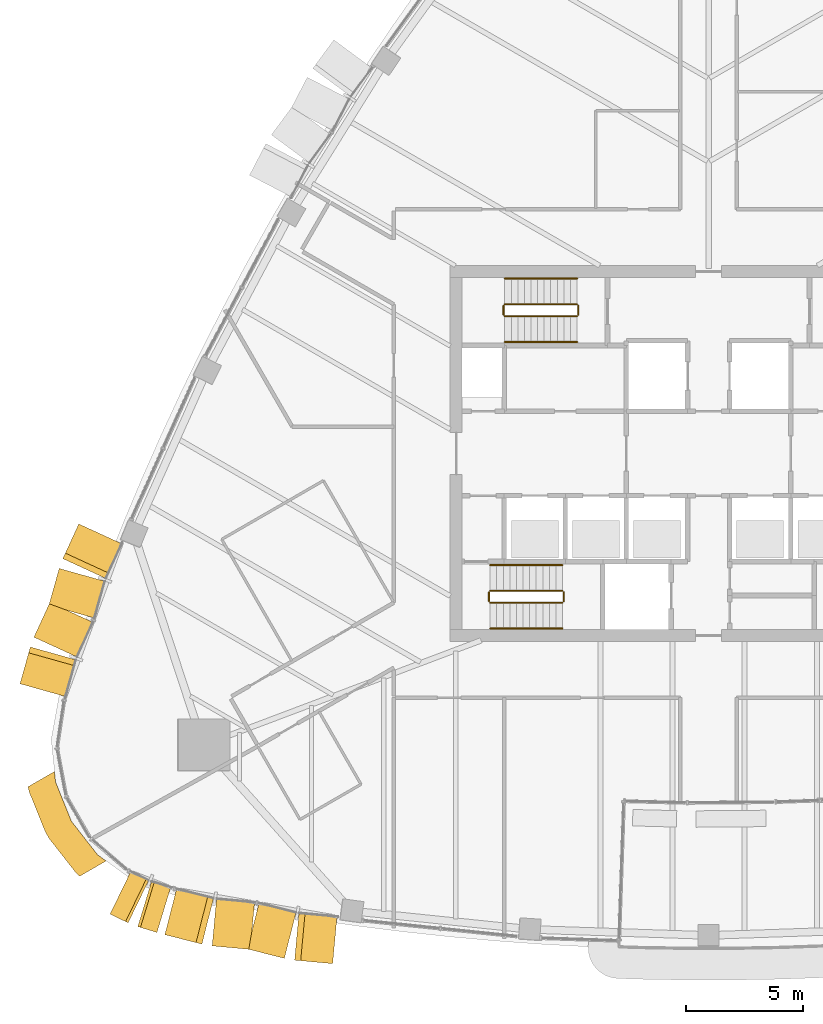
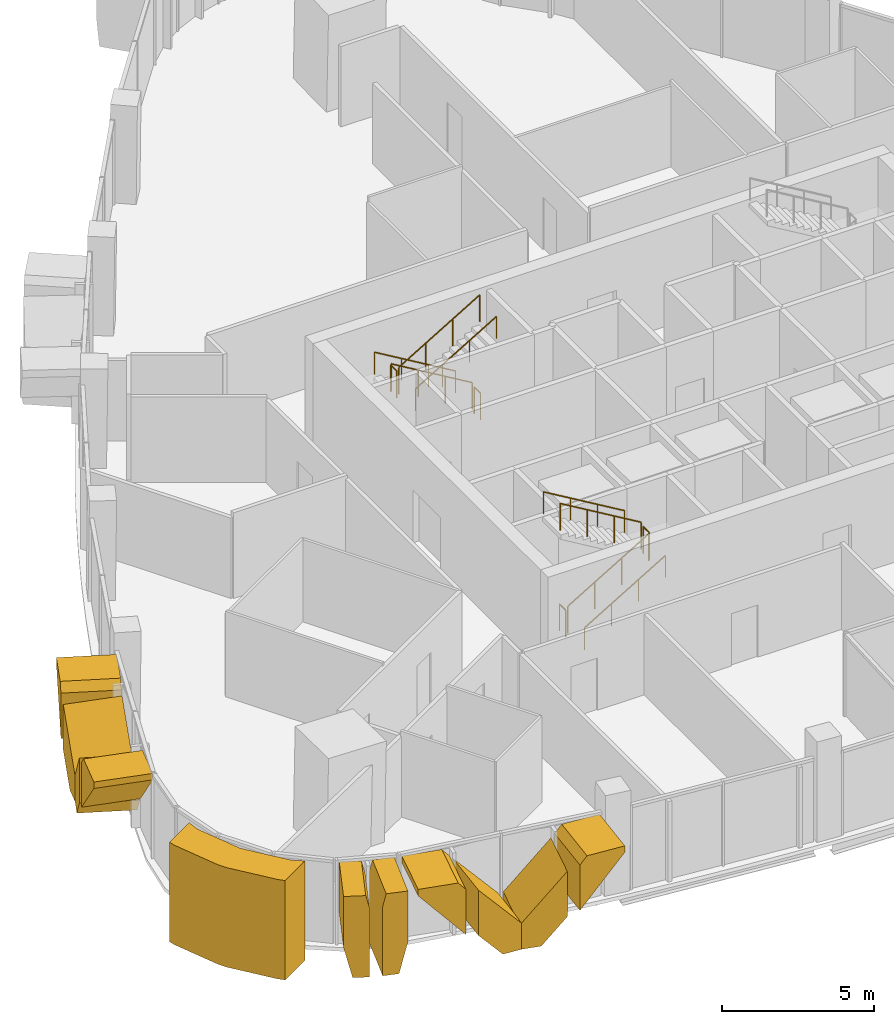
# One storey, part 17 of 21: 12 railings, 11 coverings.
"""IFC4 building model written with IfcOpenShell, lengths in metres."""

from ifc_helpers import new_model, si_unit, direction, frame, origin, origin_2d, place, context, subcontext, project, spatial, polyline, circle, outline, extrude, material, layer, layer_set, type_object, element, save


model = new_model("IFC4")

# Units and contexts
model_context = context("Model", 3, precision=1e-05, world=origin(), true_north=direction((0.0, 1.0)))
body_context = subcontext(model_context, "Body", "Model", "MODEL_VIEW")
ifc_project = project(units=[si_unit("LENGTHUNIT", "METRE"), si_unit("AREAUNIT", "SQUARE_METRE"), si_unit("VOLUMEUNIT", "CUBIC_METRE"), si_unit("PLANEANGLEUNIT", "RADIAN"), si_unit("MASSUNIT", "GRAM", prefix="KILO")], contexts=[model_context])

# Site, building, storey
site_placement = place(None, origin())
site = spatial("IfcSite", under=ifc_project, at=site_placement, CompositionType="ELEMENT")
building_placement = place(site_placement, origin())
building = spatial("IfcBuilding", under=site, at=building_placement, Name="Sierra Prisma Convention Tower", CompositionType="ELEMENT")
storey_placement = place(building_placement, frame((0.0, 0.0, 259.0)))
storey = spatial("IfcBuildingStorey", under=building, at=storey_placement, Name="L58", CompositionType="ELEMENT", Elevation=259.0)

# Coverings
ifc_material_1 = material(Name="Aluminium composite bronze anodised", Category="aluminium")
ifc_layer_1 = layer(ifc_material_1, 1.199951171875)
ifc_layer_set_1 = layer_set([ifc_layer_1], Name="Bronze corner pier")
covering_type_1 = type_object("IfcCoveringType", Name="Bronze corner pier", PredefinedType="CLADDING", material=ifc_layer_set_1)
covering_1_placement = place(storey_placement, frame((0.0, 0.0, -0.60009765625)))
element("IfcCovering", 1, at=covering_1_placement, inside=storey, type_object=covering_type_1, Name="Corner pier SW L58.1", PredefinedType="CLADDING", context=body_context, shape_type="SweptSolid", body=[
    extrude(outline(polyline([(-28.07373046875, -16.402099609375), (-28.241455078125, -16.111572265625), (-28.919921875, -14.42919921875), (-28.97900390625, -14.190673828125), (-27.852294921875, -13.540283203125), (-27.806884765625, -13.98046875), (-27.128662109375, -15.66259765625), (-26.010986328125, -17.09130859375), (-25.65234375, -17.3505859375), (-26.779052734375, -18.001220703125), (-26.9560546875, -17.830810546875), (-28.07373046875, -16.402099609375)])), origin(), (0.0, 0.0, 1.0), 4.0),
])
ifc_material_2 = material(Name="Aluminium 6063-T6 bronze anodised", Category="aluminium")
ifc_layer_2 = layer(ifc_material_2, 2.0)
ifc_layer_set_2 = layer_set([ifc_layer_2], Name="Bronze crystal chevron frame")
covering_type_2 = type_object("IfcCoveringType", Name="Bronze crystal chevron frame", PredefinedType="CLADDING", material=ifc_layer_set_2)
covering_2_placement = place(storey_placement, frame((-26.81689453125, -2.999267578125, 3.280029296875), z_axis=(-0.908592844401, 0.417682944693, 2.8566735e-05), x_axis=(-2.5955531e-05, 1.1931838e-05, -0.999999999592)))
element("IfcCovering", 2, at=covering_2_placement, inside=storey, type_object=covering_type_2, Name="CW-2 chevron frame NW6.1.1", PredefinedType="CLADDING", context=body_context, shape_type="SweptSolid", body=[
    extrude(outline(polyline([(0.0, 0.0), (0.2590332030193069, 4.388193149593812e-22), (2.1164550775024966, 1.627262594344925), (0.29541015637053597, 1.627262594344925), (-1.6974651000743334e-09, 1.36847146785821), (0.0, 0.0)])), origin(), (0.0, 0.0, -1.0), 2.0),
])
covering_3_placement = place(storey_placement, frame((-27.649658203125, -4.893798828125, 2.83642578125), z_axis=(-0.962745510071, 0.270409102087, -1.86078e-05), x_axis=(1.7914576e-05, -5.031719e-06, -0.999999999827)))
element("IfcCovering", 3, at=covering_3_placement, inside=storey, type_object=covering_type_2, Name="CW-2 chevron frame NW6.1.2", PredefinedType="CLADDING", context=body_context, shape_type="SweptSolid", body=[
    extrude(outline(polyline([(0.0, 0.0), (1.8210449215597315, 0.0), (2.836425782080037, 0.8895664588662767), (2.836425781110519, 1.6270147450515953), (1.8574218750300096, 1.6270147450515953), (0.0, 0.0)])), origin(), (0.0, 0.0, -1.0), 2.0),
])
covering_4_placement = place(storey_placement, frame((-28.046875, -6.34375, 0.0), z_axis=(-0.90856646095, 0.417740333197, -7.528198e-06), x_axis=(-0.417740333209, -0.908566460976, -2.15e-10)))
element("IfcCovering", 4, at=covering_4_placement, inside=storey, type_object=covering_type_2, Name="CW-2 chevron frame NW6.2.1", PredefinedType="CLADDING", context=body_context, shape_type="SweptSolid", body=[
    extrude(outline(polyline([(0.0, 0.0), (0.7375984462619258, 0.0), (1.627040773429856, 1.0153808597538199), (1.6270407730380705, 2.8364257815772174), (-2.1062607878972494e-10, 0.9790039062222583), (0.0, 0.0)])), origin(), (0.0, 0.0, -1.0), 2.0),
])
covering_5_placement = place(storey_placement, frame((-29.319580078125, -9.8046875, 3.280029296875), z_axis=(-0.962746282549, 0.270406348139, 4.8205374e-05), x_axis=(0.270406348453, 0.962746283668, 3.532e-09)))
element("IfcCovering", 5, at=covering_5_placement, inside=storey, type_object=covering_type_2, Name="CW-2 chevron frame NW6.2.2", PredefinedType="CLADDING", context=body_context, shape_type="SweptSolid", body=[
    extrude(outline(polyline([(0.0, 0.0), (1.3683874440738844, 0.0), (1.6270147440554943, 0.2954101623403867), (1.6270147376229593, 2.1164550820995527), (-9.149912087620676e-10, 0.25903320282403475), (0.0, 0.0)])), origin(), (0.0, 0.0, -1.0), 2.0),
])
covering_6_placement = place(storey_placement, frame((-25.484130859375, -19.612060546875, 3.280029296875), z_axis=(-0.437092746339, -0.899416439184, 4.924633e-06), x_axis=(-2.152521e-06, -4.429296e-06, -0.999999999988)))
element("IfcCovering", 6, at=covering_6_placement, inside=storey, type_object=covering_type_2, Name="CW-2 chevron frame SW5.1.1", PredefinedType="CLADDING", context=body_context, shape_type="SweptSolid", body=[
    extrude(outline(polyline([(0.0, 0.0), (2.0520019531001177, 8.690566310635247e-22), (3.2800292973900493, 0.3002711131060251), (3.280029296911565, 0.8528825868204741), (0.4875488281954266, 0.8528825868204741), (4.466648317195472e-10, 0.7337554941013108), (0.0, 0.0)])), origin(), (0.0, 0.0, -1.0), 2.0),
])
covering_7_placement = place(storey_placement, frame((-24.30419921875, -20.146728515625, 0.0), z_axis=(-0.29112275401, -0.956685707062, -7.9578e-07), x_axis=(0.956685707062, -0.29112275401, -4.1e-11)))
element("IfcCovering", 7, at=covering_7_placement, inside=storey, type_object=covering_type_2, Name="CW-2 chevron frame SW5.1.2", PredefinedType="CLADDING", context=body_context, shape_type="SweptSolid", body=[
    extrude(outline(polyline([(0.0, 0.0), (0.5527419766576944, -2.6469779601696886e-23), (0.8528602230531925, 1.2280273437877118), (0.8528602229695239, 3.280029296912062), (0.11916788469721595, 3.2800292968584293), (-1.1386096867840834e-10, 2.7924804687491154), (0.0, 0.0)])), origin(), (0.0, 0.0, -1.0), 2.0),
])
covering_8_placement = place(storey_placement, frame((-23.15087890625, -20.4892578125, 3.280029296875), z_axis=(-0.247121034058, -0.968984620341, 8.290704e-06), x_axis=(-2.048807e-06, -8.033565e-06, -0.999999999966)))
element("IfcCovering", 8, at=covering_8_placement, inside=storey, type_object=covering_type_2, Name="CW-2 chevron frame S1.1.1", PredefinedType="CLADDING", context=body_context, shape_type="SweptSolid", body=[
    extrude(outline(polyline([(0.0, 0.0), (0.25903320311609757, 0.0), (2.1164550780725673, 1.6271267142296584), (0.29541015626015266, 1.6271267142296584), (-1.429757823017815e-10, 1.3683637952721834), (0.0, 0.0)])), origin(), (0.0, 0.0, -1.0), 2.0),
])
covering_9_placement = place(storey_placement, frame((-21.137451171875, -20.966796875, 2.83642578125), z_axis=(-0.092593363592, -0.995704006439, -2.4089643e-05), x_axis=(2.230541e-06, 2.3986154e-05, -0.99999999971)))
element("IfcCovering", 9, at=covering_9_placement, inside=storey, type_object=covering_type_2, Name="CW-2 chevron frame S1.1.2", PredefinedType="CLADDING", context=body_context, shape_type="SweptSolid", body=[
    extrude(outline(polyline([(0.0, 0.0), (1.8210449213466138, 0.0), (2.836425782641131, 0.8895552001825988), (2.8364257810162323, 1.6271049545894418), (1.8574218750502955, 1.6271049545894418), (0.0, 0.0)])), origin(), (0.0, 0.0, -1.0), 2.0),
])
covering_10_placement = place(storey_placement, frame((-19.6396484375, -21.09619140625, 0.0), z_axis=(-0.247134109821, -0.968981285368, 1.9212365e-05), x_axis=(0.968981285547, -0.247134109867, -1.401e-09)))
element("IfcCovering", 10, at=covering_10_placement, inside=storey, type_object=covering_type_2, Name="CW-2 chevron frame S1.2.1", PredefinedType="CLADDING", context=body_context, shape_type="SweptSolid", body=[
    extrude(outline(polyline([(0.0, 0.0), (0.7377408164433978, 4.235164736271502e-22), (1.6271267126920594, 1.0153808618419236), (1.627126710140862, 2.8364257833808364), (-1.3715380789823645e-09, 0.9790039060693176), (0.0, 0.0)])), origin(), (0.0, 0.0, -1.0), 2.0),
])
covering_11_placement = place(storey_placement, frame((-16.005859375, -21.724365234375, 3.280029296875), z_axis=(-0.092428357991, -0.995719337258, -7.048034e-06), x_axis=(-0.995719337283, 0.092428357994, 7.6e-11)))
element("IfcCovering", 11, at=covering_11_placement, inside=storey, type_object=covering_type_2, Name="CW-2 chevron frame S1.2.2", PredefinedType="CLADDING", context=body_context, shape_type="SweptSolid", body=[
    extrude(outline(polyline([(0.0, 0.0), (1.368405154007611, 0.0), (1.6270823707618116, 0.29541015638019724), (1.6270823706243056, 2.116455078209967), (-1.9559437400483652e-11, 0.2590332031185663), (0.0, 0.0)])), origin(), (0.0, 0.0, -1.0), 2.0),
])

# Railings
ifc_material_3 = material(Name="Stainless steel", Category="steel")
railing_type_1 = type_object("IfcRailingType", Name="Exit stair handrail", PredefinedType="HANDRAIL", material=ifc_material_3)
railing_1_placement = place(storey_placement, frame((-9.300048828125, -7.449951171875, 0.166748046875)))
element("IfcRailing", 12, at=railing_1_placement, inside=storey, type_object=railing_type_1, Name="L58 S1 stair handrail 1", PredefinedType="HANDRAIL", context=body_context, shape_type="SweptSolid", body=[
    extrude(circle(Radius=0.02392578125, at=origin_2d()), frame((0.0, 0.0, 0.8759765625), z_axis=(0.859308565015, 0.0, 0.511457515432), x_axis=(0.0, 1.0, 0.0)), (0.0, 0.0, 1.0), 3.58447265625),
    extrude(circle(Radius=0.02099609375, at=origin_2d()), origin(), (0.0, 0.0, 1.0), 0.851806640625),
    extrude(circle(Radius=0.02099609375, at=origin_2d()), frame((1.026611328125, 0.0, 0.611083984375)), (0.0, 0.0, 1.0), 0.851806640625),
    extrude(circle(Radius=0.02099609375, at=origin_2d()), frame((2.053466796875, 0.0, 1.22216796875)), (0.0, 0.0, 1.0), 0.851806640625),
    extrude(circle(Radius=0.02099609375, at=origin_2d()), frame((3.080078125, 0.0, 1.833251953125)), (0.0, 0.0, 1.0), 0.851806640625),
])
railing_2_placement = place(storey_placement, frame((-6.219970703125, -4.75, 2.166748046875)))
element("IfcRailing", 13, at=railing_2_placement, inside=storey, type_object=railing_type_1, Name="L58 S1 stair handrail 2", PredefinedType="HANDRAIL", context=body_context, shape_type="SweptSolid", body=[
    extrude(circle(Radius=0.02392578125, at=origin_2d()), frame((0.0, 0.0, 0.8759765625), z_axis=(-0.859308565015, 0.0, 0.511457515432), x_axis=(0.0, -1.0, 0.0)), (0.0, 0.0, 1.0), 3.58447265625),
    extrude(circle(Radius=0.02099609375, at=origin_2d()), origin(), (0.0, 0.0, 1.0), 0.851806640625),
    extrude(circle(Radius=0.02099609375, at=origin_2d()), frame((-1.026611328125, 0.0, 0.611083984375)), (0.0, 0.0, 1.0), 0.851806640625),
    extrude(circle(Radius=0.02099609375, at=origin_2d()), frame((-2.053466796875, 0.0, 1.22216796875)), (0.0, 0.0, 1.0), 0.851806640625),
    extrude(circle(Radius=0.02099609375, at=origin_2d()), frame((-3.080078125, 0.0, 1.833251953125)), (0.0, 0.0, 1.0), 0.851806640625),
])
railing_3_placement = place(storey_placement, frame((-5.60009765625, 7.449951171875, 0.166748046875)))
element("IfcRailing", 14, at=railing_3_placement, inside=storey, type_object=railing_type_1, Name="L58 S3 stair handrail 1", PredefinedType="HANDRAIL", context=body_context, shape_type="SweptSolid", body=[
    extrude(circle(Radius=0.02392578125, at=origin_2d()), frame((0.0, 0.0, 0.8759765625), z_axis=(-0.859290745958, 0.0, 0.51148745235), x_axis=(0.0, -1.0, 0.0)), (0.0, 0.0, 1.0), 3.584228515625),
    extrude(circle(Radius=0.02099609375, at=origin_2d()), origin(), (0.0, 0.0, 1.0), 0.851806640625),
    extrude(circle(Radius=0.02099609375, at=origin_2d()), frame((-1.026611328125, 0.0, 0.611083984375)), (0.0, 0.0, 1.0), 0.851806640625),
    extrude(circle(Radius=0.02099609375, at=origin_2d()), frame((-2.05322265625, 0.0, 1.22216796875)), (0.0, 0.0, 1.0), 0.851806640625),
    extrude(circle(Radius=0.02099609375, at=origin_2d()), frame((-3.079833984375, 0.0, 1.833251953125)), (0.0, 0.0, 1.0), 0.851806640625),
])
railing_4_placement = place(storey_placement, frame((-8.679931640625, 4.75, 2.166748046875)))
element("IfcRailing", 15, at=railing_4_placement, inside=storey, type_object=railing_type_1, Name="L58 S3 stair handrail 2", PredefinedType="HANDRAIL", context=body_context, shape_type="SweptSolid", body=[
    extrude(circle(Radius=0.02392578125, at=origin_2d()), frame((0.0, 0.0, 0.8759765625), z_axis=(0.859290745958, 0.0, 0.51148745235), x_axis=(0.0, 1.0, 0.0)), (0.0, 0.0, 1.0), 3.584228515625),
    extrude(circle(Radius=0.02099609375, at=origin_2d()), origin(), (0.0, 0.0, 1.0), 0.851806640625),
    extrude(circle(Radius=0.02099609375, at=origin_2d()), frame((1.026611328125, 0.0, 0.611083984375)), (0.0, 0.0, 1.0), 0.851806640625),
    extrude(circle(Radius=0.02099609375, at=origin_2d()), frame((2.05322265625, 0.0, 1.22216796875)), (0.0, 0.0, 1.0), 0.851806640625),
    extrude(circle(Radius=0.02099609375, at=origin_2d()), frame((3.079833984375, 0.0, 1.833251953125)), (0.0, 0.0, 1.0), 0.851806640625),
])
ifc_material_4 = material(Name="Stainless steel", Category="steel")
railing_type_2 = type_object("IfcRailingType", Name="Stair guard 1100", PredefinedType="GUARDRAIL", material=ifc_material_4)
railing_5_placement = place(storey_placement, frame((-9.300048828125, -6.35009765625, 0.166748046875)))
element("IfcRailing", 16, at=railing_5_placement, inside=storey, type_object=railing_type_2, Name="L58 S1 stair guard 1", PredefinedType="GUARDRAIL", context=body_context, shape_type="SweptSolid", body=[
    extrude(circle(Radius=0.02392578125, at=origin_2d()), frame((0.0, 0.0, 1.076171875), z_axis=(0.859308565015, 0.0, 0.511457515432), x_axis=(0.0, 1.0, 0.0)), (0.0, 0.0, 1.0), 3.58447265625),
    extrude(circle(Radius=0.02099609375, at=origin_2d()), origin(), (0.0, 0.0, 1.0), 1.052001953125),
    extrude(circle(Radius=0.02099609375, at=origin_2d()), frame((1.026611328125, 0.0, 0.611083984375)), (0.0, 0.0, 1.0), 1.052001953125),
    extrude(circle(Radius=0.02099609375, at=origin_2d()), frame((2.053466796875, 0.0, 1.22216796875)), (0.0, 0.0, 1.0), 1.052001953125),
    extrude(circle(Radius=0.02099609375, at=origin_2d()), frame((3.080078125, 0.0, 1.833251953125)), (0.0, 0.0, 1.0), 1.052001953125),
])
railing_6_placement = place(storey_placement, frame((-6.169921875, -6.300048828125, 2.0)))
element("IfcRailing", 17, at=railing_6_placement, inside=storey, type_object=railing_type_2, Name="L58 S1 stair guard 2", PredefinedType="GUARDRAIL", context=body_context, shape_type="SweptSolid", body=[
    extrude(circle(Radius=0.02392578125, at=origin_2d()), frame((0.0, 0.0, 1.076171875), z_axis=(0.0, 1.0, 0.0), x_axis=(-1.0, 0.0, 0.0)), (0.0, 0.0, 1.0), 0.400146484375),
    extrude(circle(Radius=0.02099609375, at=origin_2d()), origin(), (0.0, 0.0, 1.0), 1.052001953125),
    extrude(circle(Radius=0.02099609375, at=origin_2d()), frame((0.0, 0.400146484375, 0.0)), (0.0, 0.0, 1.0), 1.052001953125),
])
railing_7_placement = place(storey_placement, frame((-6.219970703125, -5.85009765625, 2.166748046875)))
element("IfcRailing", 18, at=railing_7_placement, inside=storey, type_object=railing_type_2, Name="L58 S1 stair guard 3", PredefinedType="GUARDRAIL", context=body_context, shape_type="SweptSolid", body=[
    extrude(circle(Radius=0.02392578125, at=origin_2d()), frame((0.0, 0.0, 1.076171875), z_axis=(-0.859308565015, 0.0, 0.511457515432), x_axis=(0.0, -1.0, 0.0)), (0.0, 0.0, 1.0), 3.58447265625),
    extrude(circle(Radius=0.02099609375, at=origin_2d()), origin(), (0.0, 0.0, 1.0), 1.052001953125),
    extrude(circle(Radius=0.02099609375, at=origin_2d()), frame((-1.026611328125, 0.0, 0.611083984375)), (0.0, 0.0, 1.0), 1.052001953125),
    extrude(circle(Radius=0.02099609375, at=origin_2d()), frame((-2.053466796875, 0.0, 1.22216796875)), (0.0, 0.0, 1.0), 1.052001953125),
    extrude(circle(Radius=0.02099609375, at=origin_2d()), frame((-3.080078125, 0.0, 1.833251953125)), (0.0, 0.0, 1.0), 1.052001953125),
])
railing_8_placement = place(storey_placement, frame((-9.35009765625, -6.300048828125, 0.0)))
element("IfcRailing", 19, at=railing_8_placement, inside=storey, type_object=railing_type_2, Name="L58 S1 stair guard 4", PredefinedType="GUARDRAIL", context=body_context, shape_type="SweptSolid", body=[
    extrude(circle(Radius=0.02392578125, at=origin_2d()), frame((0.0, 0.0, 1.076171875), z_axis=(0.0, 1.0, 0.0), x_axis=(-1.0, 0.0, 0.0)), (0.0, 0.0, 1.0), 0.400146484375),
    extrude(circle(Radius=0.02099609375, at=origin_2d()), origin(), (0.0, 0.0, 1.0), 1.052001953125),
    extrude(circle(Radius=0.02099609375, at=origin_2d()), frame((0.0, 0.400146484375, 0.0)), (0.0, 0.0, 1.0), 1.052001953125),
])
railing_9_placement = place(storey_placement, frame((-5.60009765625, 6.35009765625, 0.166748046875)))
element("IfcRailing", 20, at=railing_9_placement, inside=storey, type_object=railing_type_2, Name="L58 S3 stair guard 1", PredefinedType="GUARDRAIL", context=body_context, shape_type="SweptSolid", body=[
    extrude(circle(Radius=0.02392578125, at=origin_2d()), frame((0.0, 0.0, 1.076171875), z_axis=(-0.859290745958, 0.0, 0.51148745235), x_axis=(0.0, -1.0, 0.0)), (0.0, 0.0, 1.0), 3.584228515625),
    extrude(circle(Radius=0.02099609375, at=origin_2d()), origin(), (0.0, 0.0, 1.0), 1.052001953125),
    extrude(circle(Radius=0.02099609375, at=origin_2d()), frame((-1.026611328125, 0.0, 0.611083984375)), (0.0, 0.0, 1.0), 1.052001953125),
    extrude(circle(Radius=0.02099609375, at=origin_2d()), frame((-2.05322265625, 0.0, 1.22216796875)), (0.0, 0.0, 1.0), 1.052001953125),
    extrude(circle(Radius=0.02099609375, at=origin_2d()), frame((-3.079833984375, 0.0, 1.833251953125)), (0.0, 0.0, 1.0), 1.052001953125),
])
railing_10_placement = place(storey_placement, frame((-8.72998046875, 6.300048828125, 2.0)))
element("IfcRailing", 21, at=railing_10_placement, inside=storey, type_object=railing_type_2, Name="L58 S3 stair guard 2", PredefinedType="GUARDRAIL", context=body_context, shape_type="SweptSolid", body=[
    extrude(circle(Radius=0.02392578125, at=origin_2d()), frame((0.0, 0.0, 1.076171875), z_axis=(0.0, -1.0, 0.0), x_axis=(1.0, 0.0, 0.0)), (0.0, 0.0, 1.0), 0.400146484375),
    extrude(circle(Radius=0.02099609375, at=origin_2d()), origin(), (0.0, 0.0, 1.0), 1.052001953125),
    extrude(circle(Radius=0.02099609375, at=origin_2d()), frame((0.0, -0.400146484375, 0.0)), (0.0, 0.0, 1.0), 1.052001953125),
])
railing_11_placement = place(storey_placement, frame((-8.679931640625, 5.85009765625, 2.166748046875)))
element("IfcRailing", 22, at=railing_11_placement, inside=storey, type_object=railing_type_2, Name="L58 S3 stair guard 3", PredefinedType="GUARDRAIL", context=body_context, shape_type="SweptSolid", body=[
    extrude(circle(Radius=0.02392578125, at=origin_2d()), frame((0.0, 0.0, 1.076171875), z_axis=(0.859290745958, 0.0, 0.51148745235), x_axis=(0.0, 1.0, 0.0)), (0.0, 0.0, 1.0), 3.584228515625),
    extrude(circle(Radius=0.02099609375, at=origin_2d()), origin(), (0.0, 0.0, 1.0), 1.052001953125),
    extrude(circle(Radius=0.02099609375, at=origin_2d()), frame((1.026611328125, 0.0, 0.611083984375)), (0.0, 0.0, 1.0), 1.052001953125),
    extrude(circle(Radius=0.02099609375, at=origin_2d()), frame((2.05322265625, 0.0, 1.22216796875)), (0.0, 0.0, 1.0), 1.052001953125),
    extrude(circle(Radius=0.02099609375, at=origin_2d()), frame((3.079833984375, 0.0, 1.833251953125)), (0.0, 0.0, 1.0), 1.052001953125),
])
railing_12_placement = place(storey_placement, frame((-5.550048828125, 6.300048828125, 0.0)))
element("IfcRailing", 23, at=railing_12_placement, inside=storey, type_object=railing_type_2, Name="L58 S3 stair guard 4", PredefinedType="GUARDRAIL", context=body_context, shape_type="SweptSolid", body=[
    extrude(circle(Radius=0.02392578125, at=origin_2d()), frame((0.0, 0.0, 1.076171875), z_axis=(0.0, -1.0, 0.0), x_axis=(1.0, 0.0, 0.0)), (0.0, 0.0, 1.0), 0.400146484375),
    extrude(circle(Radius=0.02099609375, at=origin_2d()), origin(), (0.0, 0.0, 1.0), 1.052001953125),
    extrude(circle(Radius=0.02099609375, at=origin_2d()), frame((0.0, -0.400146484375, 0.0)), (0.0, 0.0, 1.0), 1.052001953125),
])

save(model, "model.ifc")
